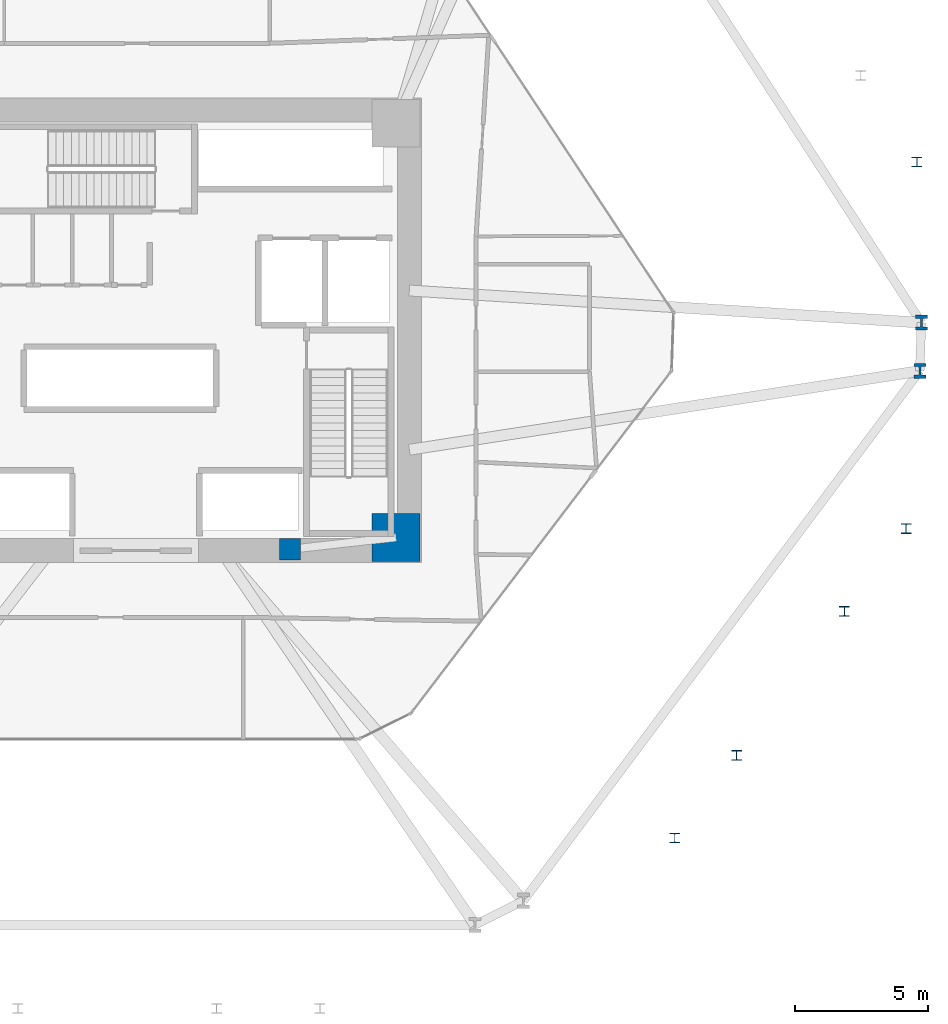
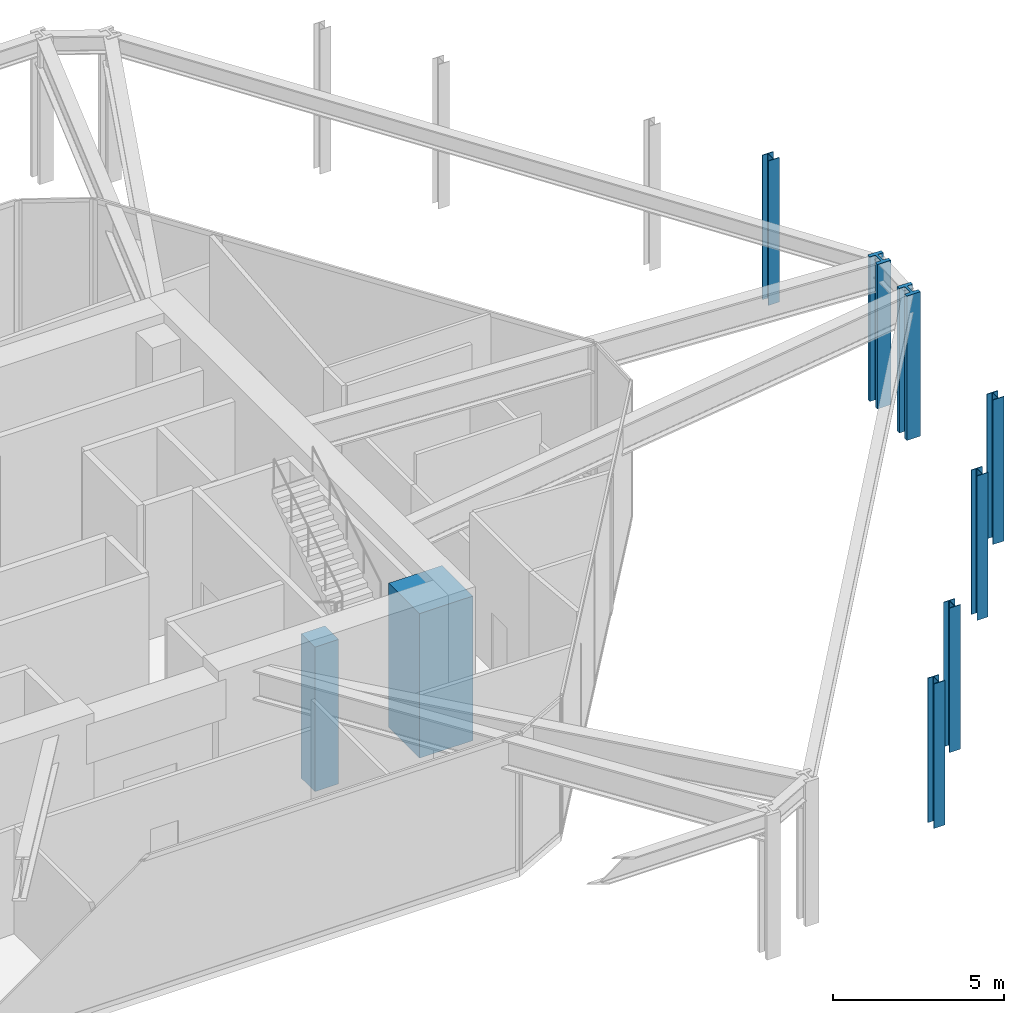
# One storey, part 2 of 16: 9 columns.
"""IFC4 building model written with IfcOpenShell, lengths in metres."""

from ifc_helpers import new_model, si_unit, direction, frame, origin, origin_2d, place, context, subcontext, project, spatial, rectangle, i_section, extrude, source, transform, mapped, material, material_profile, profile_set, type_object, type_shapes, element, save


model = new_model("IFC4")

# Units and contexts
model_context = context("Model", 3, precision=1e-05, world=origin(), true_north=direction((0.0, 1.0)))
body_context = subcontext(model_context, "Body", "Model", "MODEL_VIEW")
ifc_project = project(units=[si_unit("LENGTHUNIT", "METRE"), si_unit("AREAUNIT", "SQUARE_METRE"), si_unit("VOLUMEUNIT", "CUBIC_METRE"), si_unit("PLANEANGLEUNIT", "RADIAN"), si_unit("MASSUNIT", "GRAM", prefix="KILO")], contexts=[model_context])

# Site, building, storey
site_placement = place(None, origin())
site = spatial("IfcSite", under=ifc_project, at=site_placement, CompositionType="ELEMENT")
building_placement = place(site_placement, origin())
building = spatial("IfcBuilding", under=site, at=building_placement, Name="Durnholm Broadcast Tower", CompositionType="ELEMENT")
storey_placement = place(building_placement, frame((0.0, 0.0, 5.199951171875)))
storey = spatial("IfcBuildingStorey", under=building, at=storey_placement, Name="L01", CompositionType="ELEMENT", Elevation=5.199951171875)

# Columns
ifc_material_1 = material(Name="Concrete C70/85", Category="concrete")
ifc_material_profile_1 = material_profile(ifc_material_1, rectangle(XDim=1.800048828125, YDim=1.800048828125, at=origin_2d()), Name="RC1800X1800")
ifc_profile_set_1 = profile_set([ifc_material_profile_1], Name="Concrete C70/85")
column_type_1 = type_object("IfcColumnType", Name="COL-CC-1800", PredefinedType="COLUMN", material=ifc_profile_set_1)
shared_shape_1 = source(origin(), body_context, "Body", "SweptSolid", [
    extrude(rectangle(XDim=1.800048828125, YDim=1.800048828125, at=origin_2d()), origin(), (0.0, 0.0, 1.0), 5.150146484375),
])
type_shapes(column_type_1, [shared_shape_1])
column_1_placement = place(storey_placement, frame((9.800048828125, -7.800048828125, -0.300048828125), z_axis=(0.0, 0.0, 1.0), x_axis=(1.0, 0.0, 0.0)))
element("IfcColumn", 1, at=column_1_placement, inside=storey, type_object=column_type_1, Name="L01 core corner column 2", PredefinedType="COLUMN", context=body_context, shape_type="MappedRepresentation", body=[
    mapped(shared_shape_1, transform((0.0, 0.0, 0.0), x_axis=(1.0, 0.0, 0.0), y_axis=(0.0, 1.0, 0.0), z_axis=(0.0, 0.0, 1.0), scale=1.0)),
])
ifc_material_profile_2 = material_profile(ifc_material_1, rectangle(XDim=0.800048828125, YDim=0.800048828125, at=origin_2d()), Name="RC800X800")
ifc_profile_set_2 = profile_set([ifc_material_profile_2], Name="Concrete C70/85")
column_type_2 = type_object("IfcColumnType", Name="COL-CP-800", PredefinedType="PILASTER", material=ifc_profile_set_2)
shared_shape_2 = source(origin(), body_context, "Body", "SweptSolid", [
    extrude(rectangle(XDim=0.800048828125, YDim=0.800048828125, at=origin_2d()), origin(), (0.0, 0.0, 1.0), 5.150146484375),
])
type_shapes(column_type_2, [shared_shape_2])
column_2_placement = place(storey_placement, frame((5.800048828125, -8.25, -0.300048828125), z_axis=(0.0, 0.0, 1.0), x_axis=(1.0, 0.0, 0.0)))
element("IfcColumn", 2, at=column_2_placement, inside=storey, type_object=column_type_2, Name="L01 core hall structural pilaster 2", PredefinedType="PILASTER", context=body_context, shape_type="MappedRepresentation", body=[
    mapped(shared_shape_2, transform((0.0, 0.0, 0.0), x_axis=(1.0, 0.0, 0.0), y_axis=(0.0, 1.0, 0.0), z_axis=(0.0, 0.0, 1.0), scale=1.0)),
])
ifc_material_2 = material(Name="Steel ASTM A913 Grade 65", Category="steel")
ifc_material_profile_3 = material_profile(ifc_material_2, i_section(OverallWidth=0.454345703125, OverallDepth=0.569091796875, WebThickness=0.077880859375, FlangeThickness=0.124755859375, FilletRadius=0.030517578125, at=origin_2d()), Name="W14X730")
ifc_profile_set_3 = profile_set([ifc_material_profile_3], Name="Steel ASTM A913 Grade 65")
column_type_3 = type_object("IfcColumnType", Name="STL-SC-W14X730", PredefinedType="COLUMN", material=ifc_profile_set_3)
shared_shape_3 = source(origin(), body_context, "Body", "SweptSolid", [
    extrude(i_section(OverallWidth=0.454345703125, OverallDepth=0.569091796875, WebThickness=0.077880859375, FlangeThickness=0.124755859375, FilletRadius=0.030517578125, at=origin_2d()), origin(), (0.0, 0.0, 1.0), 5.150146484375),
])
type_shapes(column_type_3, [shared_shape_3])
for number, where, z_axis, x_axis, name in (
    (3, (29.590576171875, 0.28857421875, -0.300048828125), (0.0, 0.0, 1.0), (1.0, 0.0, 0.0), "L01 perimeter hexagonal tube column 08"),
    (4, (29.529296875, -1.530517578125, -0.300048828125), (0.0, 0.0, 1.0), (1.0, 0.0, 0.0), "L01 perimeter hexagonal tube column 09"),
):
    element("IfcColumn", number, at=place(storey_placement, frame(where, z_axis=z_axis, x_axis=x_axis)), inside=storey, type_object=column_type_3, Name=name, PredefinedType="COLUMN", context=body_context, shape_type="MappedRepresentation", body=[
        mapped(shared_shape_3, transform((0.0, 0.0, 0.0), x_axis=(1.0, 0.0, 0.0), y_axis=(0.0, 1.0, 0.0), z_axis=(0.0, 0.0, 1.0), scale=1.0)),
    ])
ifc_material_3 = material(Name="Steel ASTM A992 Grade 50", Category="steel")
ifc_material_profile_4 = material_profile(ifc_material_3, i_section(OverallWidth=0.37255859375, OverallDepth=0.367919921875, WebThickness=0.014892578125, FlangeThickness=0.02392578125, FilletRadius=0.030517578125, at=origin_2d()), Name="W14X120")
ifc_profile_set_4 = profile_set([ifc_material_profile_4], Name="Steel ASTM A992 Grade 50")
column_type_4 = type_object("IfcColumnType", Name="STL-SC-W14X120", PredefinedType="COLUMN", material=ifc_profile_set_4)
shared_shape_4 = source(origin(), body_context, "Body", "SweptSolid", [
    extrude(i_section(OverallWidth=0.37255859375, OverallDepth=0.367919921875, WebThickness=0.014892578125, FlangeThickness=0.02392578125, FilletRadius=0.030517578125, at=origin_2d()), origin(), (0.0, 0.0, 1.0), 5.150146484375),
])
type_shapes(column_type_4, [shared_shape_4])
for number, where, z_axis, x_axis, name in (
    (5, (20.2978515625, -19.123779296875, -0.300048828125), (0.0, 0.0, 1.0), (1.0, 0.0, 0.0), "L01 stand-off exoskeleton pilotis column F2.1"),
    (6, (22.62744140625, -16.0107421875, -0.300048828125), (0.0, 0.0, 1.0), (1.0, 0.0, 0.0), "L01 stand-off exoskeleton pilotis column F2.2"),
    (7, (26.6875, -10.585693359375, -0.300048828125), (0.0, 0.0, 1.0), (1.0, 0.0, 0.0), "L01 stand-off exoskeleton pilotis column F2.3"),
    (8, (29.01708984375, -7.472412109375, -0.300048828125), (0.0, 0.0, 1.0), (1.0, 0.0, 0.0), "L01 stand-off exoskeleton pilotis column F2.4"),
    (9, (29.42041015625, 6.340087890625, -0.300048828125), (0.0, 0.0, 1.0), (1.0, 0.0, 0.0), "L01 stand-off exoskeleton pilotis column F3.1"),
):
    element("IfcColumn", number, at=place(storey_placement, frame(where, z_axis=z_axis, x_axis=x_axis)), inside=storey, type_object=column_type_4, Name=name, PredefinedType="COLUMN", context=body_context, shape_type="MappedRepresentation", body=[
        mapped(shared_shape_4, transform((0.0, 0.0, 0.0), x_axis=(1.0, 0.0, 0.0), y_axis=(0.0, 1.0, 0.0), z_axis=(0.0, 0.0, 1.0), scale=1.0)),
    ])

save(model, "model.ifc")
